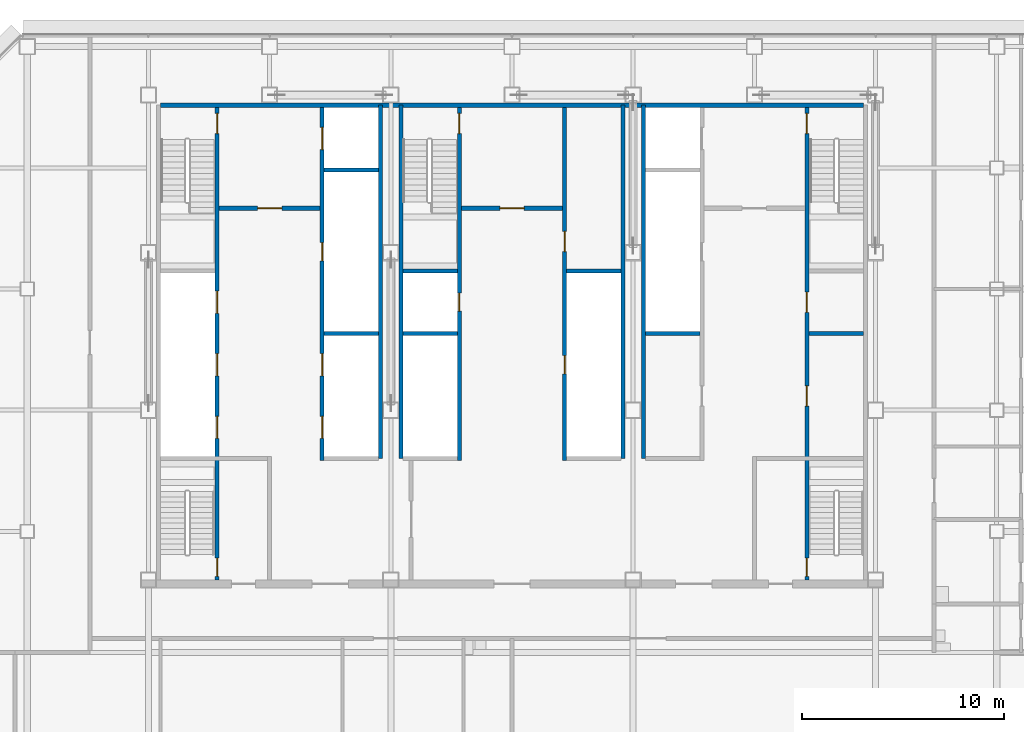
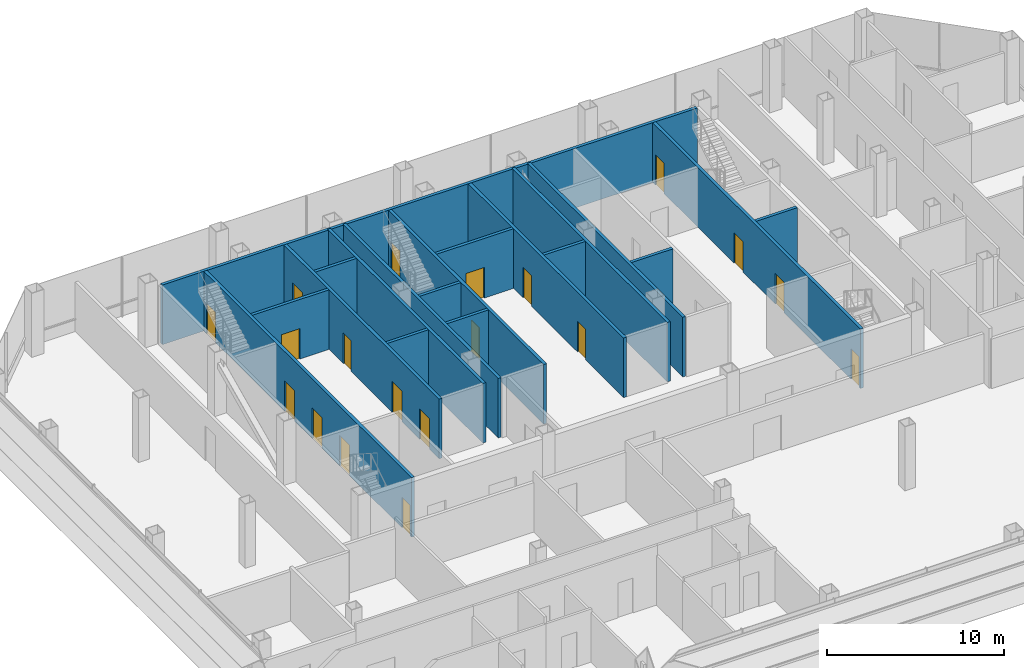
# One storey, part 21 of 28: 19 doors, 19 walls, 19 openings.
"""IFC4 building model written with IfcOpenShell, lengths in metres."""

from ifc_helpers import new_model, si_unit, direction, frame, frame_2d, origin, place, context, subcontext, project, spatial, rectangle, extrude, material, layer, layer_set, type_object, element, fill, save


model = new_model("IFC4")

# Units and contexts
model_context = context("Model", 3, precision=1e-05, world=origin(), true_north=direction((0.0, 1.0)))
body_context = subcontext(model_context, "Body", "Model", "MODEL_VIEW")
ifc_project = project(units=[si_unit("LENGTHUNIT", "METRE"), si_unit("AREAUNIT", "SQUARE_METRE"), si_unit("VOLUMEUNIT", "CUBIC_METRE"), si_unit("PLANEANGLEUNIT", "RADIAN"), si_unit("MASSUNIT", "GRAM", prefix="KILO")], contexts=[model_context])

# Site, building, storey
site_placement = place(None, origin())
site = spatial("IfcSite", under=ifc_project, at=site_placement, CompositionType="ELEMENT")
building_placement = place(site_placement, origin())
building = spatial("IfcBuilding", under=site, at=building_placement, Name="Sorahane Residences", CompositionType="ELEMENT")
storey_placement = place(building_placement, frame((0.0, 0.0, 134.0)))
storey = spatial("IfcBuildingStorey", under=building, at=storey_placement, Name="L30", CompositionType="ELEMENT", Elevation=134.0)

# Walls
ifc_material_1 = material(Name="Concrete C30", Category="concrete")
ifc_layer_1 = layer(ifc_material_1, 0.199951171875)
ifc_layer_set_1 = layer_set([ifc_layer_1], Name="Core face wall 200 EI 180")
wall_type_1 = type_object("IfcWallType", Name="Core face wall 200 EI 180", PredefinedType="SOLIDWALL", material=ifc_layer_set_1)
wall_1_placement = place(storey_placement, frame((6.60009765625, 45.10009765625, 0.0), z_axis=(0.0, 0.0, 1.0), x_axis=(1.0, 0.0, 0.0)))
element("IfcWall", 1, at=wall_1_placement, inside=storey, type_object=wall_type_1, Name="L30 core face wall", PredefinedType="SOLIDWALL", context=body_context, shape_type="SweptSolid", body=[
    extrude(rectangle(XDim=34.7998046875, YDim=0.199951171875, at=frame_2d((17.39990234375, 0.0))), origin(), (0.0, 0.0, 1.0), 4.10009765625),
])
for number, where, z_axis, x_axis, name in (
    (2, (17.5, 27.60009765625, 0.0), (0.0, 0.0, 1.0), (0.0, 1.0, 0.0), "L30 core face wall"),
    (3, (18.5, 27.60009765625, 0.0), (0.0, 0.0, 1.0), (0.0, 1.0, 0.0), "L30 core face wall"),
    (4, (29.5, 27.60009765625, 0.0), (0.0, 0.0, 1.0), (0.0, 1.0, 0.0), "L30 core face wall"),
    (5, (30.5, 27.60009765625, 0.0), (0.0, 0.0, 1.0), (0.0, 1.0, 0.0), "L30 core face wall"),
):
    element("IfcWall", number, at=place(storey_placement, frame(where, z_axis=z_axis, x_axis=x_axis)), inside=storey, type_object=wall_type_1, Name=name, PredefinedType="SOLIDWALL", context=body_context, shape_type="SweptSolid", body=[
        extrude(rectangle(XDim=17.5, YDim=0.199951171875, at=frame_2d((8.75, 0.0))), origin(), (0.0, 0.0, 1.0), 4.10009765625),
    ])

# Wall, opening, door
ifc_material_2 = material(Name="Concrete C30", Category="concrete")
ifc_layer_2 = layer(ifc_material_2, 0.199951171875)
ifc_layer_set_2 = layer_set([ifc_layer_2], Name="Front room wall 200 EI 120")
wall_type_2 = type_object("IfcWallType", Name="Front room wall 200 EI 120", PredefinedType="PARTITIONING", material=ifc_layer_set_2)
wall_2_placement = place(storey_placement, frame((21.5, 40.0, 0.0), z_axis=(0.0, 0.0, 1.0), x_axis=(1.0, 0.0, 0.0)))
wall_2 = element("IfcWall", 6, at=wall_2_placement, inside=storey, type_object=wall_type_2, Name="L30 front room wall", PredefinedType="PARTITIONING", context=body_context, shape_type="SweptSolid", body=[
    extrude(rectangle(XDim=5.0, YDim=0.199951171875, at=frame_2d((2.5, 0.0))), origin(), (0.0, 0.0, 1.0), 4.10009765625),
])
opening_1_placement = place(wall_2_placement, frame((1.89990234375, 0.0, 0.0)))
opening_1 = element("IfcOpeningElement", 7, at=opening_1_placement, cuts=wall_2, Name="Opening L30-C08", PredefinedType="OPENING", context=body_context, shape_type="SweptSolid", body=[
    extrude(rectangle(XDim=1.199951171875, YDim=2.10009765625, at=frame_2d((0.60009765625, 1.050048828125))), frame((0.0, 0.10986328125, 0.0), z_axis=(0.0, -1.0, 0.0), x_axis=(1.0, 0.0, 0.0)), (0.0, 0.0, 1.0), 0.219970703125),
])
ifc_material_3 = material(Name="Steel", Category="steel")
door_type_1 = type_object("IfcDoorType", Name="Front room door 1200x2100 FD120", OperationType="NOTDEFINED", PredefinedType="DOOR", material=ifc_material_3)
door_1_placement = place(opening_1_placement, frame((1.199951171875, 0.0, 0.0), z_axis=(0.0, 0.0, 1.0), x_axis=(-1.0, 0.0, 0.0)))
door_1 = element("IfcDoor", 8, at=door_1_placement, inside=storey, type_object=door_type_1, Name="Front room door Stair S3 vestibule L30", OperationType="DOUBLE_DOOR_SINGLE_SWING", OverallHeight=2.10009765625, OverallWidth=1.199951171875, PredefinedType="DOOR", context=body_context, shape_type="SweptSolid", body=[
    extrude(rectangle(XDim=1.199951171875, YDim=2.10009765625, at=frame_2d((0.60009765625, 1.050048828125))), frame((0.0, 0.02490234375, 0.0), z_axis=(0.0, -1.0, 0.0), x_axis=(1.0, 0.0, 0.0)), (0.0, 0.0, 1.0), 0.050048828125),
])
fill(opening_1, door_1)

wall_3_placement = place(storey_placement, frame((9.5, 40.0, 0.0), z_axis=(0.0, 0.0, 1.0), x_axis=(1.0, 0.0, 0.0)))
wall_3 = element("IfcWall", 9, at=wall_3_placement, inside=storey, type_object=wall_type_2, Name="L30 front room wall", PredefinedType="PARTITIONING", context=body_context, shape_type="SweptSolid", body=[
    extrude(rectangle(XDim=5.0, YDim=0.199951171875, at=frame_2d((2.5, 0.0))), origin(), (0.0, 0.0, 1.0), 4.10009765625),
])
opening_2_placement = place(wall_3_placement, frame((1.89990234375, 0.0, 0.0)))
opening_2 = element("IfcOpeningElement", 10, at=opening_2_placement, cuts=wall_3, Name="Opening L30-C07", PredefinedType="OPENING", context=body_context, shape_type="SweptSolid", body=[
    extrude(rectangle(XDim=1.199951171875, YDim=2.10009765625, at=frame_2d((0.60009765625, 1.050048828125))), frame((0.0, 0.10986328125, 0.0), z_axis=(0.0, -1.0, 0.0), x_axis=(1.0, 0.0, 0.0)), (0.0, 0.0, 1.0), 0.219970703125),
])
door_2_placement = place(opening_2_placement, frame((1.199951171875, 0.0, 0.0), z_axis=(0.0, 0.0, 1.0), x_axis=(-1.0, 0.0, 0.0)))
door_2 = element("IfcDoor", 11, at=door_2_placement, inside=storey, type_object=door_type_1, Name="Front room door Firefighting lobby FF1 front room L30", OperationType="DOUBLE_DOOR_SINGLE_SWING", OverallHeight=2.10009765625, OverallWidth=1.199951171875, PredefinedType="DOOR", context=body_context, shape_type="SweptSolid", body=[
    extrude(rectangle(XDim=1.199951171875, YDim=2.10009765625, at=frame_2d((0.60009765625, 1.050048828125))), frame((0.0, 0.02490234375, 0.0), z_axis=(0.0, -1.0, 0.0), x_axis=(1.0, 0.0, 0.0)), (0.0, 0.0, 1.0), 0.050048828125),
])
fill(opening_2, door_2)

# Wall, openings, doors
ifc_material_4 = material(Name="Concrete C30", Category="concrete")
ifc_layer_3 = layer(ifc_material_4, 0.199951171875)
ifc_layer_set_3 = layer_set([ifc_layer_3], Name="Lift shaft wall 200 EI 120")
wall_type_3 = type_object("IfcWallType", Name="Lift shaft wall 200 EI 120", PredefinedType="SOLIDWALL", material=ifc_layer_set_3)
wall_4_placement = place(storey_placement, frame((14.60009765625, 27.5, 0.0), z_axis=(0.0, 0.0, 1.0), x_axis=(0.0, 1.0, 0.0)))
wall_4 = element("IfcWall", 12, at=wall_4_placement, inside=storey, type_object=wall_type_3, Name="L30 lift shaft wall", PredefinedType="SOLIDWALL", context=body_context, shape_type="SweptSolid", body=[
    extrude(rectangle(XDim=17.5, YDim=0.199951171875, at=frame_2d((8.75, 0.0))), origin(), (0.0, 0.0, 1.0), 4.10009765625),
])
opening_3_placement = place(wall_4_placement, frame((1.10009765625, 0.0, 0.0)))
opening_3 = element("IfcOpeningElement", 13, at=opening_3_placement, cuts=wall_4, Name="Opening L30-C11", PredefinedType="OPENING", context=body_context, shape_type="SweptSolid", body=[
    extrude(rectangle(XDim=1.10009765625, YDim=2.10009765625, at=frame_2d((0.550048828125, 1.050048828125))), frame((0.0, 0.10986328125, 0.0), z_axis=(0.0, -1.0, 0.0), x_axis=(1.0, 0.0, 0.0)), (0.0, 0.0, 1.0), 0.219970703125),
])
opening_4_placement = place(wall_4_placement, frame((4.199951171875, 0.0, 0.0)))
opening_4 = element("IfcOpeningElement", 14, at=opening_4_placement, cuts=wall_4, Name="Opening L30-C12", PredefinedType="OPENING", context=body_context, shape_type="SweptSolid", body=[
    extrude(rectangle(XDim=1.10009765625, YDim=2.10009765625, at=frame_2d((0.550048828125, 1.050048828125))), frame((0.0, 0.10986328125, 0.0), z_axis=(0.0, -1.0, 0.0), x_axis=(1.0, 0.0, 0.0)), (0.0, 0.0, 1.0), 0.219970703125),
])
opening_5_placement = place(wall_4_placement, frame((15.39990234375, 0.0, 0.0)))
opening_5 = element("IfcOpeningElement", 15, at=opening_5_placement, cuts=wall_4, Name="Opening L30-C13", PredefinedType="OPENING", context=body_context, shape_type="SweptSolid", body=[
    extrude(rectangle(XDim=1.10009765625, YDim=2.10009765625, at=frame_2d((0.550048828125, 1.050048828125))), frame((0.0, 0.10986328125, 0.0), z_axis=(0.0, -1.0, 0.0), x_axis=(1.0, 0.0, 0.0)), (0.0, 0.0, 1.0), 0.219970703125),
])
opening_6_placement = place(wall_4_placement, frame((9.89990234375, 0.0, 0.0)))
opening_6 = element("IfcOpeningElement", 16, at=opening_6_placement, cuts=wall_4, Name="Opening L30-C25", PredefinedType="OPENING", context=body_context, shape_type="SweptSolid", body=[
    extrude(rectangle(XDim=0.89990234375, YDim=2.10009765625, at=frame_2d((0.449951171875, 1.050048828125))), frame((0.0, 0.10986328125, 0.0), z_axis=(0.0, -1.0, 0.0), x_axis=(1.0, 0.0, 0.0)), (0.0, 0.0, 1.0), 0.219970703125),
])
ifc_material_5 = material(Name="Aluminium and stainless steel", Category="steel")
door_type_2 = type_object("IfcDoorType", Name="Lift landing door 1100x2100 E 60", OperationType="NOTDEFINED", PredefinedType="DOOR", material=ifc_material_5)
door_3_placement = place(opening_3_placement, origin())
door_3 = element("IfcDoor", 17, at=door_3_placement, inside=storey, type_object=door_type_2, Name="Lift landing door LR4 L30", OperationType="DOUBLE_DOOR_SLIDING", OverallHeight=2.10009765625, OverallWidth=1.10009765625, PredefinedType="DOOR", context=body_context, shape_type="SweptSolid", body=[
    extrude(rectangle(XDim=1.10009765625, YDim=2.10009765625, at=frame_2d((0.550048828125, 1.050048828125))), frame((0.0, 0.02490234375, 0.0), z_axis=(0.0, -1.0, 0.0), x_axis=(1.0, 0.0, 0.0)), (0.0, 0.0, 1.0), 0.050048828125),
])
fill(opening_3, door_3)
door_4_placement = place(opening_4_placement, origin())
door_4 = element("IfcDoor", 18, at=door_4_placement, inside=storey, type_object=door_type_2, Name="Lift landing door LR5 L30", OperationType="DOUBLE_DOOR_SLIDING", OverallHeight=2.10009765625, OverallWidth=1.10009765625, PredefinedType="DOOR", context=body_context, shape_type="SweptSolid", body=[
    extrude(rectangle(XDim=1.10009765625, YDim=2.10009765625, at=frame_2d((0.550048828125, 1.050048828125))), frame((0.0, 0.02490234375, 0.0), z_axis=(0.0, -1.0, 0.0), x_axis=(1.0, 0.0, 0.0)), (0.0, 0.0, 1.0), 0.050048828125),
])
fill(opening_4, door_4)
door_5_placement = place(opening_5_placement, origin())
door_5 = element("IfcDoor", 19, at=door_5_placement, inside=storey, type_object=door_type_2, Name="Lift landing door FF1 L30", OperationType="DOUBLE_DOOR_SLIDING", OverallHeight=2.10009765625, OverallWidth=1.10009765625, PredefinedType="DOOR", context=body_context, shape_type="SweptSolid", body=[
    extrude(rectangle(XDim=1.10009765625, YDim=2.10009765625, at=frame_2d((0.550048828125, 1.050048828125))), frame((0.0, 0.02490234375, 0.0), z_axis=(0.0, -1.0, 0.0), x_axis=(1.0, 0.0, 0.0)), (0.0, 0.0, 1.0), 0.050048828125),
])
fill(opening_5, door_5)
ifc_material_6 = material(Name="Steel", Category="steel")
door_type_3 = type_object("IfcDoorType", Name="Riser door 900x2100 FD120", OperationType="NOTDEFINED", PredefinedType="DOOR", material=ifc_material_6)
door_6_placement = place(opening_6_placement, origin())
door_6 = element("IfcDoor", 20, at=door_6_placement, inside=storey, type_object=door_type_3, Name="Riser door R1 L30", OperationType="SINGLE_SWING_LEFT", OverallHeight=2.10009765625, OverallWidth=0.89990234375, PredefinedType="DOOR", context=body_context, shape_type="SweptSolid", body=[
    extrude(rectangle(XDim=0.89990234375, YDim=2.10009765625, at=frame_2d((0.449951171875, 1.050048828125))), frame((0.0, 0.02490234375, 0.0), z_axis=(0.0, -1.0, 0.0), x_axis=(1.0, 0.0, 0.0)), (0.0, 0.0, 1.0), 0.050048828125),
])
fill(opening_6, door_6)

# Walls
for number, where, z_axis, x_axis, name in (
    (21, (14.699951171875, 33.800048828125, 0.0), (0.0, 0.0, 1.0), (1.0, 0.0, 0.0), "L30 lift shaft wall"),
    (22, (18.60009765625, 33.800048828125, 0.0), (0.0, 0.0, 1.0), (1.0, 0.0, 0.0), "L30 lift shaft wall"),
    (23, (14.699951171875, 41.89990234375, 0.0), (0.0, 0.0, 1.0), (1.0, 0.0, 0.0), "L30 lift shaft wall"),
):
    element("IfcWall", number, at=place(storey_placement, frame(where, z_axis=z_axis, x_axis=x_axis)), inside=storey, type_object=wall_type_3, Name=name, PredefinedType="SOLIDWALL", context=body_context, shape_type="SweptSolid", body=[
        extrude(rectangle(XDim=2.699951171875, YDim=0.199951171875, at=frame_2d((1.35009765625, 0.0))), origin(), (0.0, 0.0, 1.0), 4.10009765625),
    ])

# Wall, openings, doors
ifc_material_7 = material(Name="Concrete C30", Category="concrete")
ifc_layer_4 = layer(ifc_material_7, 0.199951171875)
ifc_layer_set_4 = layer_set([ifc_layer_4], Name="Riser shaft wall 200 EI 120")
wall_type_4 = type_object("IfcWallType", Name="Riser shaft wall 200 EI 120", PredefinedType="SOLIDWALL", material=ifc_layer_set_4)
wall_5_placement = place(storey_placement, frame((26.60009765625, 27.5, 0.0), z_axis=(0.0, 0.0, 1.0), x_axis=(0.0, 1.0, 0.0)))
wall_5 = element("IfcWall", 24, at=wall_5_placement, inside=storey, type_object=wall_type_4, Name="L30 riser wall", PredefinedType="SOLIDWALL", context=body_context, shape_type="SweptSolid", body=[
    extrude(rectangle(XDim=17.5, YDim=0.199951171875, at=frame_2d((8.75, 0.0))), origin(), (0.0, 0.0, 1.0), 4.10009765625),
])
opening_7_placement = place(wall_5_placement, frame((4.300048828125, 0.0, 0.0)))
opening_7 = element("IfcOpeningElement", 25, at=opening_7_placement, cuts=wall_5, Name="Opening L30-C28", PredefinedType="OPENING", context=body_context, shape_type="SweptSolid", body=[
    extrude(rectangle(XDim=0.89990234375, YDim=2.10009765625, at=frame_2d((0.449951171875, 1.050048828125))), frame((0.0, 0.10986328125, 0.0), z_axis=(0.0, -1.0, 0.0), x_axis=(1.0, 0.0, 0.0)), (0.0, 0.0, 1.0), 0.219970703125),
])
opening_8_placement = place(wall_5_placement, frame((10.35009765625, 0.0, 0.0)))
opening_8 = element("IfcOpeningElement", 26, at=opening_8_placement, cuts=wall_5, Name="Opening L30-C29", PredefinedType="OPENING", context=body_context, shape_type="SweptSolid", body=[
    extrude(rectangle(XDim=1.0, YDim=2.10009765625, at=frame_2d((0.5, 1.050048828125))), frame((0.0, 0.10986328125, 0.0), z_axis=(0.0, -1.0, 0.0), x_axis=(1.0, 0.0, 0.0)), (0.0, 0.0, 1.0), 0.219970703125),
])
door_7_placement = place(opening_7_placement, origin())
door_7 = element("IfcDoor", 27, at=door_7_placement, inside=storey, type_object=door_type_3, Name="Riser door R4 L30", OperationType="SINGLE_SWING_LEFT", OverallHeight=2.10009765625, OverallWidth=0.89990234375, PredefinedType="DOOR", context=body_context, shape_type="SweptSolid", body=[
    extrude(rectangle(XDim=0.89990234375, YDim=2.10009765625, at=frame_2d((0.449951171875, 1.050048828125))), frame((0.0, 0.02490234375, 0.0), z_axis=(0.0, -1.0, 0.0), x_axis=(1.0, 0.0, 0.0)), (0.0, 0.0, 1.0), 0.050048828125),
])
fill(opening_7, door_7)
ifc_material_8 = material(Name="Steel", Category="steel")
door_type_4 = type_object("IfcDoorType", Name="Service room door 1000x2100 FD60", OperationType="NOTDEFINED", PredefinedType="DOOR", material=ifc_material_8)
door_8_placement = place(opening_8_placement, frame((1.0, 0.0, 0.0), z_axis=(0.0, 0.0, 1.0), x_axis=(-1.0, 0.0, 0.0)))
door_8 = element("IfcDoor", 28, at=door_8_placement, inside=storey, type_object=door_type_4, Name="Service room door Housekeeping store L30", OperationType="SINGLE_SWING_LEFT", OverallHeight=2.10009765625, OverallWidth=1.0, PredefinedType="DOOR", context=body_context, shape_type="SweptSolid", body=[
    extrude(rectangle(XDim=1.0, YDim=2.10009765625, at=frame_2d((0.5, 1.050048828125))), frame((0.0, 0.02490234375, 0.0), z_axis=(0.0, -1.0, 0.0), x_axis=(1.0, 0.0, 0.0)), (0.0, 0.0, 1.0), 0.050048828125),
])
fill(opening_8, door_8)

# Walls
for number, where, z_axis, x_axis, name in (
    (29, (30.60009765625, 33.800048828125, 0.0), (0.0, 0.0, 1.0), (1.0, 0.0, 0.0), "L30 riser wall"),
    (30, (26.699951171875, 36.89990234375, 0.0), (0.0, 0.0, 1.0), (1.0, 0.0, 0.0), "L30 riser wall"),
):
    element("IfcWall", number, at=place(storey_placement, frame(where, z_axis=z_axis, x_axis=x_axis)), inside=storey, type_object=wall_type_4, Name=name, PredefinedType="SOLIDWALL", context=body_context, shape_type="SweptSolid", body=[
        extrude(rectangle(XDim=2.699951171875, YDim=0.199951171875, at=frame_2d((1.35009765625, 0.0))), origin(), (0.0, 0.0, 1.0), 4.10009765625),
    ])
ifc_material_9 = material(Name="Concrete C30", Category="concrete")
ifc_layer_5 = layer(ifc_material_9, 0.199951171875)
ifc_layer_set_5 = layer_set([ifc_layer_5], Name="Service room partition 200 EI 60")
wall_type_5 = type_object("IfcWallType", Name="Service room partition 200 EI 60", PredefinedType="PARTITIONING", material=ifc_layer_set_5)
wall_6_placement = place(storey_placement, frame((38.699951171875, 33.800048828125, 0.0), z_axis=(0.0, 0.0, 1.0), x_axis=(1.0, 0.0, 0.0)))
element("IfcWall", 31, at=wall_6_placement, inside=storey, type_object=wall_type_5, Name="L30 service room wall", PredefinedType="PARTITIONING", context=body_context, shape_type="SweptSolid", body=[
    extrude(rectangle(XDim=2.699951171875, YDim=0.199951171875, at=frame_2d((1.35009765625, 0.0))), origin(), (0.0, 0.0, 1.0), 4.10009765625),
])

# Wall, openings, doors
ifc_material_10 = material(Name="Concrete C30", Category="concrete")
ifc_layer_6 = layer(ifc_material_10, 0.199951171875)
ifc_layer_set_6 = layer_set([ifc_layer_6], Name="Stair enclosure wall 200 EI 120")
wall_type_6 = type_object("IfcWallType", Name="Stair enclosure wall 200 EI 120", PredefinedType="SOLIDWALL", material=ifc_layer_set_6)
wall_7_placement = place(storey_placement, frame((21.39990234375, 27.5, 0.0), z_axis=(0.0, 0.0, 1.0), x_axis=(0.0, 1.0, 0.0)))
wall_7 = element("IfcWall", 32, at=wall_7_placement, inside=storey, type_object=wall_type_6, Name="L30 stair enclosure wall", PredefinedType="SOLIDWALL", context=body_context, shape_type="SweptSolid", body=[
    extrude(rectangle(XDim=17.5, YDim=0.199951171875, at=frame_2d((8.75, 0.0))), origin(), (0.0, 0.0, 1.0), 4.10009765625),
])
opening_9_placement = place(wall_7_placement, frame((16.199951171875, 0.0, 0.0)))
opening_9 = element("IfcOpeningElement", 33, at=opening_9_placement, cuts=wall_7, Name="Opening L30-C22", PredefinedType="OPENING", context=body_context, shape_type="SweptSolid", body=[
    extrude(rectangle(XDim=1.0, YDim=2.10009765625, at=frame_2d((0.5, 1.050048828125))), frame((0.0, 0.10986328125, 0.0), z_axis=(0.0, -1.0, 0.0), x_axis=(1.0, 0.0, 0.0)), (0.0, 0.0, 1.0), 0.219970703125),
])
opening_10_placement = place(wall_7_placement, frame((7.39990234375, 0.0, 0.0)))
opening_10 = element("IfcOpeningElement", 34, at=opening_10_placement, cuts=wall_7, Name="Opening L30-C27", PredefinedType="OPENING", context=body_context, shape_type="SweptSolid", body=[
    extrude(rectangle(XDim=0.89990234375, YDim=2.10009765625, at=frame_2d((0.449951171875, 1.050048828125))), frame((0.0, 0.10986328125, 0.0), z_axis=(0.0, -1.0, 0.0), x_axis=(1.0, 0.0, 0.0)), (0.0, 0.0, 1.0), 0.219970703125),
])
door_9_placement = place(opening_10_placement, frame((0.89990234375, 0.0, 0.0), z_axis=(0.0, 0.0, 1.0), x_axis=(-1.0, 0.0, 0.0)))
door_9 = element("IfcDoor", 35, at=door_9_placement, inside=storey, type_object=door_type_3, Name="Riser door R3 L30", OperationType="SINGLE_SWING_LEFT", OverallHeight=2.10009765625, OverallWidth=0.89990234375, PredefinedType="DOOR", context=body_context, shape_type="SweptSolid", body=[
    extrude(rectangle(XDim=0.89990234375, YDim=2.10009765625, at=frame_2d((0.449951171875, 1.050048828125))), frame((0.0, 0.02490234375, 0.0), z_axis=(0.0, -1.0, 0.0), x_axis=(1.0, 0.0, 0.0)), (0.0, 0.0, 1.0), 0.050048828125),
])
fill(opening_10, door_9)
ifc_material_11 = material(Name="Steel", Category="steel")
door_type_5 = type_object("IfcDoorType", Name="Stair door 1000x2100 FD120", OperationType="NOTDEFINED", PredefinedType="DOOR", material=ifc_material_11)
door_10_placement = place(opening_9_placement, origin())
door_10 = element("IfcDoor", 36, at=door_10_placement, inside=storey, type_object=door_type_5, Name="Stair door S3 L30", OperationType="SINGLE_SWING_LEFT", OverallHeight=2.10009765625, OverallWidth=1.0, PredefinedType="DOOR", context=body_context, shape_type="SweptSolid", body=[
    extrude(rectangle(XDim=1.0, YDim=2.10009765625, at=frame_2d((0.5, 1.050048828125))), frame((0.0, 0.02490234375, 0.0), z_axis=(0.0, -1.0, 0.0), x_axis=(1.0, 0.0, 0.0)), (0.0, 0.0, 1.0), 0.050048828125),
])
fill(opening_9, door_10)

wall_8_placement = place(storey_placement, frame((38.60009765625, 21.60009765625, 0.0), z_axis=(0.0, 0.0, 1.0), x_axis=(0.0, 1.0, 0.0)))
wall_8 = element("IfcWall", 37, at=wall_8_placement, inside=storey, type_object=wall_type_6, Name="L30 stair enclosure wall", PredefinedType="SOLIDWALL", context=body_context, shape_type="SweptSolid", body=[
    extrude(rectangle(XDim=23.39990234375, YDim=0.199951171875, at=frame_2d((11.699951171875, 0.0))), origin(), (0.0, 0.0, 1.0), 4.10009765625),
])
opening_11_placement = place(wall_8_placement, frame((8.60009765625, 0.0, 0.0)))
opening_11 = element("IfcOpeningElement", 38, at=opening_11_placement, cuts=wall_8, Name="Opening L30-C17", PredefinedType="OPENING", context=body_context, shape_type="SweptSolid", body=[
    extrude(rectangle(XDim=1.0, YDim=2.10009765625, at=frame_2d((0.5, 1.050048828125))), frame((0.0, 0.10986328125, 0.0), z_axis=(0.0, -1.0, 0.0), x_axis=(1.0, 0.0, 0.0)), (0.0, 0.0, 1.0), 0.219970703125),
])
opening_12_placement = place(wall_8_placement, frame((13.25, 0.0, 0.0)))
opening_12 = element("IfcOpeningElement", 39, at=opening_12_placement, cuts=wall_8, Name="Opening L30-C18", PredefinedType="OPENING", context=body_context, shape_type="SweptSolid", body=[
    extrude(rectangle(XDim=1.0, YDim=2.10009765625, at=frame_2d((0.5, 1.050048828125))), frame((0.0, 0.10986328125, 0.0), z_axis=(0.0, -1.0, 0.0), x_axis=(1.0, 0.0, 0.0)), (0.0, 0.0, 1.0), 0.219970703125),
])
opening_13_placement = place(wall_8_placement, frame((22.10009765625, 0.0, 0.0)))
opening_13 = element("IfcOpeningElement", 40, at=opening_13_placement, cuts=wall_8, Name="Opening L30-C21", PredefinedType="OPENING", context=body_context, shape_type="SweptSolid", body=[
    extrude(rectangle(XDim=1.0, YDim=2.10009765625, at=frame_2d((0.5, 1.050048828125))), frame((0.0, 0.10986328125, 0.0), z_axis=(0.0, -1.0, 0.0), x_axis=(1.0, 0.0, 0.0)), (0.0, 0.0, 1.0), 0.219970703125),
])
opening_14_placement = place(wall_8_placement, frame((0.175048828125, 0.0, 0.0)))
opening_14 = element("IfcOpeningElement", 41, at=opening_14_placement, cuts=wall_8, Name="Opening L30-C24", PredefinedType="OPENING", context=body_context, shape_type="SweptSolid", body=[
    extrude(rectangle(XDim=0.89990234375, YDim=2.10009765625, at=frame_2d((0.449951171875, 1.050048828125))), frame((0.0, 0.10986328125, 0.0), z_axis=(0.0, -1.0, 0.0), x_axis=(1.0, 0.0, 0.0)), (0.0, 0.0, 1.0), 0.219970703125),
])
door_11_placement = place(opening_11_placement, frame((1.0, 0.0, 0.0), z_axis=(0.0, 0.0, 1.0), x_axis=(-1.0, 0.0, 0.0)))
door_11 = element("IfcDoor", 42, at=door_11_placement, inside=storey, type_object=door_type_4, Name="Service room door Flower room L30", OperationType="SINGLE_SWING_RIGHT", OverallHeight=2.10009765625, OverallWidth=1.0, PredefinedType="DOOR", context=body_context, shape_type="SweptSolid", body=[
    extrude(rectangle(XDim=1.0, YDim=2.10009765625, at=frame_2d((0.5, 1.050048828125))), frame((0.0, 0.02490234375, 0.0), z_axis=(0.0, -1.0, 0.0), x_axis=(1.0, 0.0, 0.0)), (0.0, 0.0, 1.0), 0.050048828125),
])
fill(opening_11, door_11)
door_12_placement = place(opening_12_placement, frame((1.0, 0.0, 0.0), z_axis=(0.0, 0.0, 1.0), x_axis=(-1.0, 0.0, 0.0)))
door_12 = element("IfcDoor", 43, at=door_12_placement, inside=storey, type_object=door_type_4, Name="Service room door Gift store L30", OperationType="SINGLE_SWING_LEFT", OverallHeight=2.10009765625, OverallWidth=1.0, PredefinedType="DOOR", context=body_context, shape_type="SweptSolid", body=[
    extrude(rectangle(XDim=1.0, YDim=2.10009765625, at=frame_2d((0.5, 1.050048828125))), frame((0.0, 0.02490234375, 0.0), z_axis=(0.0, -1.0, 0.0), x_axis=(1.0, 0.0, 0.0)), (0.0, 0.0, 1.0), 0.050048828125),
])
fill(opening_12, door_12)
door_13_placement = place(opening_13_placement, frame((1.0, 0.0, 0.0), z_axis=(0.0, 0.0, 1.0), x_axis=(-1.0, 0.0, 0.0)))
door_13 = element("IfcDoor", 44, at=door_13_placement, inside=storey, type_object=door_type_5, Name="Stair door S2 L30", OperationType="SINGLE_SWING_LEFT", OverallHeight=2.10009765625, OverallWidth=1.0, PredefinedType="DOOR", context=body_context, shape_type="SweptSolid", body=[
    extrude(rectangle(XDim=1.0, YDim=2.10009765625, at=frame_2d((0.5, 1.050048828125))), frame((0.0, 0.02490234375, 0.0), z_axis=(0.0, -1.0, 0.0), x_axis=(1.0, 0.0, 0.0)), (0.0, 0.0, 1.0), 0.050048828125),
])
fill(opening_13, door_13)
ifc_material_12 = material(Name="Steel", Category="steel")
door_type_6 = type_object("IfcDoorType", Name="Stair door 900x2100 FD120", OperationType="NOTDEFINED", PredefinedType="DOOR", material=ifc_material_12)
door_14_placement = place(opening_14_placement, frame((0.89990234375, 0.0, 0.0), z_axis=(0.0, 0.0, 1.0), x_axis=(-1.0, 0.0, 0.0)))
door_14 = element("IfcDoor", 45, at=door_14_placement, inside=storey, type_object=door_type_6, Name="Stair door S5 L30", OperationType="SINGLE_SWING_LEFT", OverallHeight=2.10009765625, OverallWidth=0.89990234375, PredefinedType="DOOR", context=body_context, shape_type="SweptSolid", body=[
    extrude(rectangle(XDim=0.89990234375, YDim=2.10009765625, at=frame_2d((0.449951171875, 1.050048828125))), frame((0.0, 0.02490234375, 0.0), z_axis=(0.0, -1.0, 0.0), x_axis=(1.0, 0.0, 0.0)), (0.0, 0.0, 1.0), 0.050048828125),
])
fill(opening_14, door_14)

wall_9_placement = place(storey_placement, frame((9.39990234375, 21.60009765625, 0.0), z_axis=(0.0, 0.0, 1.0), x_axis=(0.0, 1.0, 0.0)))
wall_9 = element("IfcWall", 46, at=wall_9_placement, inside=storey, type_object=wall_type_6, Name="L30 stair enclosure wall", PredefinedType="SOLIDWALL", context=body_context, shape_type="SweptSolid", body=[
    extrude(rectangle(XDim=23.39990234375, YDim=0.199951171875, at=frame_2d((11.699951171875, 0.0))), origin(), (0.0, 0.0, 1.0), 4.10009765625),
])
opening_15_placement = place(wall_9_placement, frame((7.0, 0.0, 0.0)))
opening_15 = element("IfcOpeningElement", 47, at=opening_15_placement, cuts=wall_9, Name="Opening L30-C14", PredefinedType="OPENING", context=body_context, shape_type="SweptSolid", body=[
    extrude(rectangle(XDim=1.10009765625, YDim=2.10009765625, at=frame_2d((0.550048828125, 1.050048828125))), frame((0.0, 0.10986328125, 0.0), z_axis=(0.0, -1.0, 0.0), x_axis=(1.0, 0.0, 0.0)), (0.0, 0.0, 1.0), 0.219970703125),
])
opening_16_placement = place(wall_9_placement, frame((10.10009765625, 0.0, 0.0)))
opening_16 = element("IfcOpeningElement", 48, at=opening_16_placement, cuts=wall_9, Name="Opening L30-C15", PredefinedType="OPENING", context=body_context, shape_type="SweptSolid", body=[
    extrude(rectangle(XDim=1.10009765625, YDim=2.10009765625, at=frame_2d((0.550048828125, 1.050048828125))), frame((0.0, 0.10986328125, 0.0), z_axis=(0.0, -1.0, 0.0), x_axis=(1.0, 0.0, 0.0)), (0.0, 0.0, 1.0), 0.219970703125),
])
opening_17_placement = place(wall_9_placement, frame((13.199951171875, 0.0, 0.0)))
opening_17 = element("IfcOpeningElement", 49, at=opening_17_placement, cuts=wall_9, Name="Opening L30-C16", PredefinedType="OPENING", context=body_context, shape_type="SweptSolid", body=[
    extrude(rectangle(XDim=1.10009765625, YDim=2.10009765625, at=frame_2d((0.550048828125, 1.050048828125))), frame((0.0, 0.10986328125, 0.0), z_axis=(0.0, -1.0, 0.0), x_axis=(1.0, 0.0, 0.0)), (0.0, 0.0, 1.0), 0.219970703125),
])
opening_18_placement = place(wall_9_placement, frame((22.10009765625, 0.0, 0.0)))
opening_18 = element("IfcOpeningElement", 50, at=opening_18_placement, cuts=wall_9, Name="Opening L30-C20", PredefinedType="OPENING", context=body_context, shape_type="SweptSolid", body=[
    extrude(rectangle(XDim=1.0, YDim=2.10009765625, at=frame_2d((0.5, 1.050048828125))), frame((0.0, 0.10986328125, 0.0), z_axis=(0.0, -1.0, 0.0), x_axis=(1.0, 0.0, 0.0)), (0.0, 0.0, 1.0), 0.219970703125),
])
opening_19_placement = place(wall_9_placement, frame((0.175048828125, 0.0, 0.0)))
opening_19 = element("IfcOpeningElement", 51, at=opening_19_placement, cuts=wall_9, Name="Opening L30-C23", PredefinedType="OPENING", context=body_context, shape_type="SweptSolid", body=[
    extrude(rectangle(XDim=0.89990234375, YDim=2.10009765625, at=frame_2d((0.449951171875, 1.050048828125))), frame((0.0, 0.10986328125, 0.0), z_axis=(0.0, -1.0, 0.0), x_axis=(1.0, 0.0, 0.0)), (0.0, 0.0, 1.0), 0.219970703125),
])
door_15_placement = place(opening_15_placement, origin())
door_15 = element("IfcDoor", 52, at=door_15_placement, inside=storey, type_object=door_type_2, Name="Lift landing door LR1 L30", OperationType="DOUBLE_DOOR_SLIDING", OverallHeight=2.10009765625, OverallWidth=1.10009765625, PredefinedType="DOOR", context=body_context, shape_type="SweptSolid", body=[
    extrude(rectangle(XDim=1.10009765625, YDim=2.10009765625, at=frame_2d((0.550048828125, 1.050048828125))), frame((0.0, 0.02490234375, 0.0), z_axis=(0.0, -1.0, 0.0), x_axis=(1.0, 0.0, 0.0)), (0.0, 0.0, 1.0), 0.050048828125),
])
fill(opening_15, door_15)
door_16_placement = place(opening_16_placement, origin())
door_16 = element("IfcDoor", 53, at=door_16_placement, inside=storey, type_object=door_type_2, Name="Lift landing door LR2 L30", OperationType="DOUBLE_DOOR_SLIDING", OverallHeight=2.10009765625, OverallWidth=1.10009765625, PredefinedType="DOOR", context=body_context, shape_type="SweptSolid", body=[
    extrude(rectangle(XDim=1.10009765625, YDim=2.10009765625, at=frame_2d((0.550048828125, 1.050048828125))), frame((0.0, 0.02490234375, 0.0), z_axis=(0.0, -1.0, 0.0), x_axis=(1.0, 0.0, 0.0)), (0.0, 0.0, 1.0), 0.050048828125),
])
fill(opening_16, door_16)
door_17_placement = place(opening_17_placement, origin())
door_17 = element("IfcDoor", 54, at=door_17_placement, inside=storey, type_object=door_type_2, Name="Lift landing door LR3 L30", OperationType="DOUBLE_DOOR_SLIDING", OverallHeight=2.10009765625, OverallWidth=1.10009765625, PredefinedType="DOOR", context=body_context, shape_type="SweptSolid", body=[
    extrude(rectangle(XDim=1.10009765625, YDim=2.10009765625, at=frame_2d((0.550048828125, 1.050048828125))), frame((0.0, 0.02490234375, 0.0), z_axis=(0.0, -1.0, 0.0), x_axis=(1.0, 0.0, 0.0)), (0.0, 0.0, 1.0), 0.050048828125),
])
fill(opening_17, door_17)
door_18_placement = place(opening_18_placement, origin())
door_18 = element("IfcDoor", 55, at=door_18_placement, inside=storey, type_object=door_type_5, Name="Stair door S1 L30", OperationType="SINGLE_SWING_LEFT", OverallHeight=2.10009765625, OverallWidth=1.0, PredefinedType="DOOR", context=body_context, shape_type="SweptSolid", body=[
    extrude(rectangle(XDim=1.0, YDim=2.10009765625, at=frame_2d((0.5, 1.050048828125))), frame((0.0, 0.02490234375, 0.0), z_axis=(0.0, -1.0, 0.0), x_axis=(1.0, 0.0, 0.0)), (0.0, 0.0, 1.0), 0.050048828125),
])
fill(opening_18, door_18)
door_19_placement = place(opening_19_placement, origin())
door_19 = element("IfcDoor", 56, at=door_19_placement, inside=storey, type_object=door_type_6, Name="Stair door S4 L30", OperationType="SINGLE_SWING_LEFT", OverallHeight=2.10009765625, OverallWidth=0.89990234375, PredefinedType="DOOR", context=body_context, shape_type="SweptSolid", body=[
    extrude(rectangle(XDim=0.89990234375, YDim=2.10009765625, at=frame_2d((0.449951171875, 1.050048828125))), frame((0.0, 0.02490234375, 0.0), z_axis=(0.0, -1.0, 0.0), x_axis=(1.0, 0.0, 0.0)), (0.0, 0.0, 1.0), 0.050048828125),
])
fill(opening_19, door_19)

# Wall
wall_10_placement = place(storey_placement, frame((18.60009765625, 36.89990234375, 0.0), z_axis=(0.0, 0.0, 1.0), x_axis=(1.0, 0.0, 0.0)))
element("IfcWall", 57, at=wall_10_placement, inside=storey, type_object=wall_type_6, Name="L30 stair enclosure wall", PredefinedType="SOLIDWALL", context=body_context, shape_type="SweptSolid", body=[
    extrude(rectangle(XDim=2.699951171875, YDim=0.199951171875, at=frame_2d((1.35009765625, 0.0))), origin(), (0.0, 0.0, 1.0), 4.10009765625),
])

save(model, "model.ifc")
